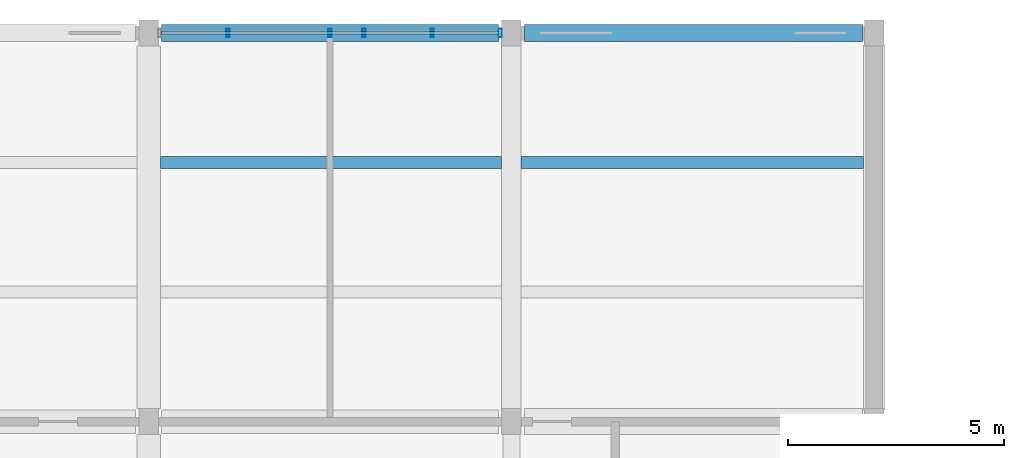
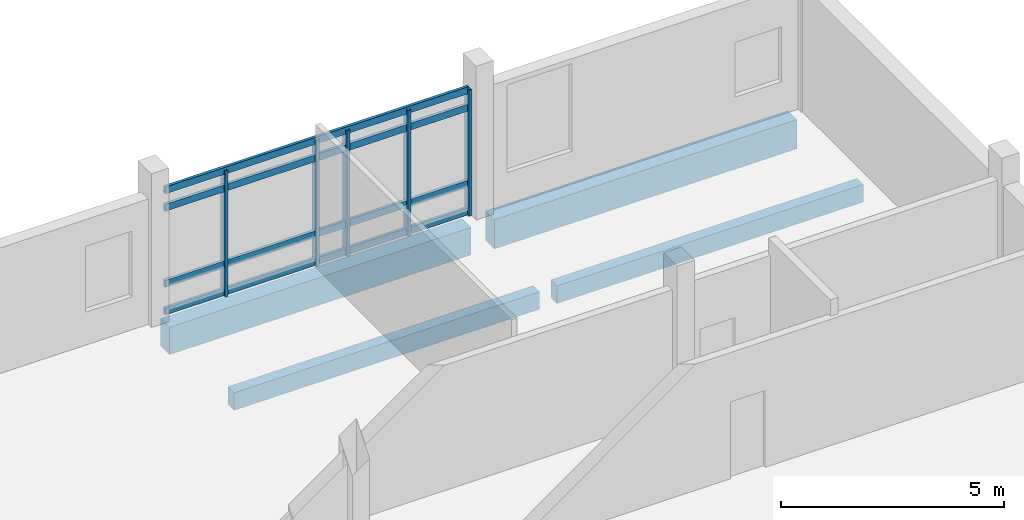
# One storey, part 60 of 107: 9 members, 4 beams, 1 element without a shape of its own.
"""IFC4 building model written with IfcOpenShell, lengths in metres."""

from ifc_helpers import new_model, si_unit, direction, frame, origin, origin_2d, place, context, subcontext, project, spatial, rectangle, hollow_rectangle, extrude, material, layer, layer_set, material_profile, profile_set, type_object, element, aggregate, save


model = new_model("IFC4")

# Units and contexts
model_context = context("Model", 3, precision=1e-05, world=origin(), true_north=direction((0.0, 1.0)))
body_context = subcontext(model_context, "Body", "Model", "MODEL_VIEW")
ifc_project = project(units=[si_unit("LENGTHUNIT", "METRE"), si_unit("AREAUNIT", "SQUARE_METRE"), si_unit("VOLUMEUNIT", "CUBIC_METRE"), si_unit("PLANEANGLEUNIT", "RADIAN"), si_unit("MASSUNIT", "GRAM", prefix="KILO")], contexts=[model_context])

# Site, building, storey
site_placement = place(None, origin())
site = spatial("IfcSite", under=ifc_project, at=site_placement, CompositionType="ELEMENT")
building_placement = place(site_placement, origin())
building = spatial("IfcBuilding", under=site, at=building_placement, Name="Vireocrest Preparatory School", CompositionType="ELEMENT")
storey_placement = place(building_placement, frame((0.0, 0.0, 13.199951171875)))
storey = spatial("IfcBuildingStorey", under=building, at=storey_placement, Name="L03", CompositionType="ELEMENT", Elevation=13.199951171875)

# Curtain wall, members
ifc_material_1 = material(Name="Thermally broken aluminium EN AW-6063-T6", Category="aluminium")
ifc_layer = layer(ifc_material_1, 0.179931640625)
ifc_layer_set = layer_set([ifc_layer], Name="Thermally broken aluminium EN AW-6063-T6")
curtain_wall_type = type_object("IfcCurtainWallType", Name="North Street Curtain Wall 8400x4000", PredefinedType="USERDEFINED", material=ifc_layer_set)
curtain_wall_placement = place(storey_placement, origin())
curtain_wall = element("IfcCurtainWall", 1, at=curtain_wall_placement, inside=storey, type_object=curtain_wall_type, Name="Curtain Wall CW05 CW_L03_CW05_1010_1128_132", ObjectType="CURTAIN WALL", PredefinedType="USERDEFINED")
ifc_material_profile_1 = material_profile(ifc_material_1, hollow_rectangle(XDim=0.074951171875, YDim=0.199951171875, WallThickness=0.0048828125, at=origin_2d()), Name="ALU 75x200x5")
ifc_profile_set_1 = profile_set([ifc_material_profile_1], Name="Thermally broken aluminium EN AW-6063-T6")
member_type_1 = type_object("IfcMemberType", Name="CW Mullion 75x200x5", PredefinedType="MULLION", material=ifc_profile_set_1)
member_1_placement = place(storey_placement, frame((102.635986328125, 112.800048828125, 0.0), z_axis=(0.0, 0.0, 1.0), x_axis=(1.0, 0.0, 0.0)))
member_1 = element("IfcMember", 2, at=member_1_placement, type_object=member_type_1, Name="CW Mullion ML3 CW_L03_CW05_1010_1128_132-2", PredefinedType="MULLION", context=body_context, shape_type="SweptSolid", body=[
    extrude(hollow_rectangle(XDim=0.074951171875, YDim=0.199951171875, WallThickness=0.0048828125, at=origin_2d()), origin(), (0.0, 0.0, 1.0), 3.445068359375),
])
member_2_placement = place(storey_placement, frame((105.0, 112.800048828125, 0.0), z_axis=(0.0, 0.0, 1.0), x_axis=(1.0, 0.0, 0.0)))
member_2 = element("IfcMember", 3, at=member_2_placement, type_object=member_type_1, Name="CW Mullion ML3 CW_L03_CW05_1010_1128_132-3", PredefinedType="MULLION", context=body_context, shape_type="SweptSolid", body=[
    extrude(hollow_rectangle(XDim=0.074951171875, YDim=0.199951171875, WallThickness=0.0048828125, at=origin_2d()), origin(), (0.0, 0.0, 1.0), 3.445068359375),
])
member_3_placement = place(storey_placement, frame((105.7880859375, 112.800048828125, 0.0), z_axis=(0.0, 0.0, 1.0), x_axis=(1.0, 0.0, 0.0)))
member_3 = element("IfcMember", 4, at=member_3_placement, type_object=member_type_1, Name="CW Mullion ML3 CW_L03_CW05_1010_1128_132-4", PredefinedType="MULLION", context=body_context, shape_type="SweptSolid", body=[
    extrude(hollow_rectangle(XDim=0.074951171875, YDim=0.199951171875, WallThickness=0.0048828125, at=origin_2d()), origin(), (0.0, 0.0, 1.0), 3.445068359375),
])
member_4_placement = place(storey_placement, frame((107.364013671875, 112.800048828125, 0.0), z_axis=(0.0, 0.0, 1.0), x_axis=(1.0, 0.0, 0.0)))
member_4 = element("IfcMember", 5, at=member_4_placement, type_object=member_type_1, Name="CW Mullion ML3 CW_L03_CW05_1010_1128_132-5", PredefinedType="MULLION", context=body_context, shape_type="SweptSolid", body=[
    extrude(hollow_rectangle(XDim=0.074951171875, YDim=0.199951171875, WallThickness=0.0048828125, at=origin_2d()), origin(), (0.0, 0.0, 1.0), 3.445068359375),
])
member_5_placement = place(storey_placement, frame((108.93994140625, 112.800048828125, 0.0), z_axis=(0.0, 0.0, 1.0), x_axis=(1.0, 0.0, 0.0)))
member_5 = element("IfcMember", 6, at=member_5_placement, type_object=member_type_1, Name="CW Mullion ML3 CW_L03_CW05_1010_1128_132-6", PredefinedType="MULLION", context=body_context, shape_type="SweptSolid", body=[
    extrude(hollow_rectangle(XDim=0.074951171875, YDim=0.199951171875, WallThickness=0.0048828125, at=origin_2d()), origin(), (0.0, 0.0, 1.0), 3.445068359375),
])
ifc_material_profile_2 = material_profile(ifc_material_1, hollow_rectangle(XDim=0.074951171875, YDim=0.18994140625, WallThickness=0.00390625, at=origin_2d()), Name="ALU 75x190x4")
ifc_profile_set_2 = profile_set([ifc_material_profile_2], Name="Thermally broken aluminium EN AW-6063-T6")
member_type_2 = type_object("IfcMemberType", Name="CW Transom 75x190x4", PredefinedType="USERDEFINED", material=ifc_profile_set_2)
member_6_placement = place(storey_placement, frame((101.0849609375, 112.800048828125, 0.094970703125), z_axis=(1.0, 0.0, 0.0), x_axis=(0.0, 1.0, 0.0)))
member_6 = element("IfcMember", 7, at=member_6_placement, type_object=member_type_2, Name="CW Transom TR3 CW_L03_CW05_1010_1128_132-1", ObjectType="TRANSOM", PredefinedType="USERDEFINED", context=body_context, shape_type="SweptSolid", body=[
    extrude(hollow_rectangle(XDim=0.074951171875, YDim=0.18994140625, WallThickness=0.00390625, at=origin_2d()), origin(), (0.0, 0.0, 1.0), 7.830078125),
])
member_7_placement = place(storey_placement, frame((101.0849609375, 112.800048828125, 0.85009765625), z_axis=(1.0, 0.0, 0.0), x_axis=(0.0, 1.0, 0.0)))
member_7 = element("IfcMember", 8, at=member_7_placement, type_object=member_type_2, Name="CW Transom TR3 CW_L03_CW05_1010_1128_132-2", ObjectType="TRANSOM", PredefinedType="USERDEFINED", context=body_context, shape_type="SweptSolid", body=[
    extrude(hollow_rectangle(XDim=0.074951171875, YDim=0.18994140625, WallThickness=0.00390625, at=origin_2d()), origin(), (0.0, 0.0, 1.0), 7.830078125),
])
member_8_placement = place(storey_placement, frame((101.0849609375, 112.800048828125, 2.929931640625), z_axis=(1.0, 0.0, 0.0), x_axis=(0.0, 1.0, 0.0)))
member_8 = element("IfcMember", 9, at=member_8_placement, type_object=member_type_2, Name="CW Transom TR3 CW_L03_CW05_1010_1128_132-3", ObjectType="TRANSOM", PredefinedType="USERDEFINED", context=body_context, shape_type="SweptSolid", body=[
    extrude(hollow_rectangle(XDim=0.074951171875, YDim=0.18994140625, WallThickness=0.00390625, at=origin_2d()), origin(), (0.0, 0.0, 1.0), 7.830078125),
])
member_9_placement = place(storey_placement, frame((101.0849609375, 112.800048828125, 3.405029296875), z_axis=(1.0, 0.0, 0.0), x_axis=(0.0, 1.0, 0.0)))
member_9 = element("IfcMember", 10, at=member_9_placement, type_object=member_type_2, Name="CW Transom TR3 CW_L03_CW05_1010_1128_132-4", ObjectType="TRANSOM", PredefinedType="USERDEFINED", context=body_context, shape_type="SweptSolid", body=[
    extrude(hollow_rectangle(XDim=0.074951171875, YDim=0.18994140625, WallThickness=0.00390625, at=origin_2d()), origin(), (0.0, 0.0, 1.0), 7.830078125),
])
aggregate(curtain_wall, [member_1, member_2, member_3, member_4, member_5, member_6, member_7, member_8, member_9])

# Beams
ifc_material_2 = material(Name="Concrete 40 MPa", Category="concrete")
ifc_material_profile_3 = material_profile(ifc_material_2, rectangle(XDim=0.39990234375, YDim=0.75, at=origin_2d()), Name="RC 400x750")
ifc_profile_set_3 = profile_set([ifc_material_profile_3], Name="Concrete 40 MPa")
beam_type_1 = type_object("IfcBeamType", Name="RC Commons Girder 400x750", PredefinedType="BEAM", material=ifc_profile_set_3)
beam_1_placement = place(storey_placement, frame((101.10009765625, 112.800048828125, -0.614990234375), z_axis=(1.0, 0.0, 0.0), x_axis=(0.0, 1.0, 0.0)))
element("IfcBeam", 11, at=beam_1_placement, inside=storey, type_object=beam_type_1, Name="Primary Girder B09 L03-1105", PredefinedType="BEAM", context=body_context, shape_type="SweptSolid", body=[
    extrude(rectangle(XDim=0.39990234375, YDim=0.75, at=origin_2d()), origin(), (0.0, 0.0, 1.0), 7.7998046875),
])
ifc_material_profile_4 = material_profile(ifc_material_2, rectangle(XDim=0.39990234375, YDim=0.800048828125, at=origin_2d()), Name="RC 400x800")
ifc_profile_set_4 = profile_set([ifc_material_profile_4], Name="Concrete 40 MPa")
beam_type_2 = type_object("IfcBeamType", Name="RC Library Reading Girder 400x800", PredefinedType="BEAM", material=ifc_profile_set_4)
beam_2_placement = place(storey_placement, frame((109.5, 112.800048828125, -0.639892578125), z_axis=(1.0, 0.0, 0.0), x_axis=(0.0, 1.0, 0.0)))
element("IfcBeam", 12, at=beam_2_placement, inside=storey, type_object=beam_type_2, Name="Primary Girder B10 L03-1106", PredefinedType="BEAM", context=body_context, shape_type="SweptSolid", body=[
    extrude(rectangle(XDim=0.39990234375, YDim=0.800048828125, at=origin_2d()), origin(), (0.0, 0.0, 1.0), 7.824951171875),
])
ifc_material_profile_5 = material_profile(ifc_material_2, rectangle(XDim=0.280029296875, YDim=0.47998046875, at=origin_2d()), Name="RC 280x480")
ifc_profile_set_5 = profile_set([ifc_material_profile_5], Name="Concrete 40 MPa")
beam_type_3 = type_object("IfcBeamType", Name="RC Secondary Lab Joist 280x480", PredefinedType="JOIST", material=ifc_profile_set_5)
beam_3_placement = place(storey_placement, frame((101.074951171875, 109.800048828125, -0.47998046875), z_axis=(1.0, 0.0, 0.0), x_axis=(0.0, 1.0, 0.0)))
element("IfcBeam", 13, at=beam_3_placement, inside=storey, type_object=beam_type_3, Name="Secondary Joist J02 L03-1276", PredefinedType="JOIST", context=body_context, shape_type="SweptSolid", body=[
    extrude(rectangle(XDim=0.280029296875, YDim=0.47998046875, at=origin_2d()), origin(), (0.0, 0.0, 1.0), 7.900146484375),
])
beam_4_placement = place(storey_placement, frame((109.425048828125, 109.800048828125, -0.47998046875), z_axis=(1.0, 0.0, 0.0), x_axis=(0.0, 1.0, 0.0)))
element("IfcBeam", 14, at=beam_4_placement, inside=storey, type_object=beam_type_3, Name="Secondary Joist J02 L03-1284", PredefinedType="JOIST", context=body_context, shape_type="SweptSolid", body=[
    extrude(rectangle(XDim=0.280029296875, YDim=0.47998046875, at=origin_2d()), origin(), (0.0, 0.0, 1.0), 7.925048828125),
])

save(model, "model.ifc")
